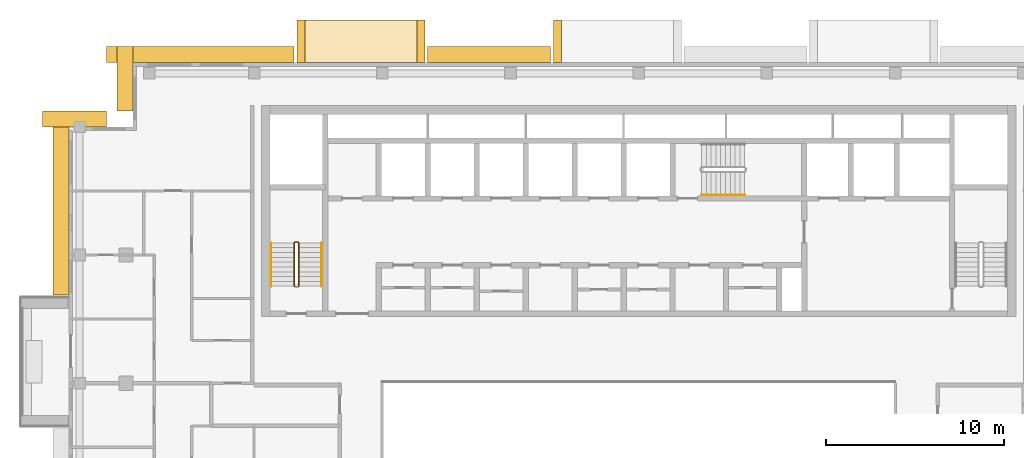
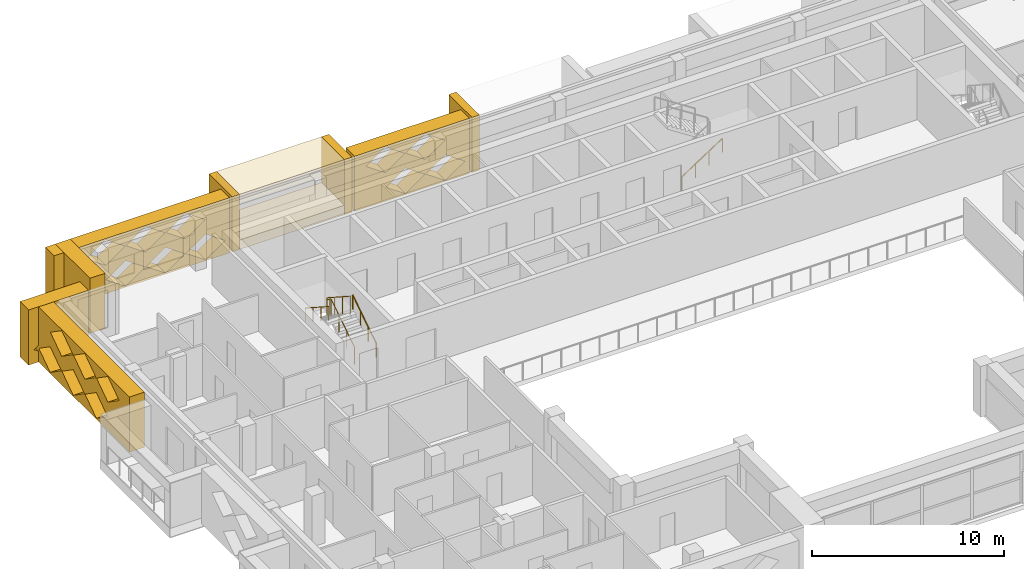
# One storey, part 17 of 19: 10 coverings, 4 railings.
"""IFC4 building model written with IfcOpenShell, lengths in metres."""

from ifc_helpers import new_model, si_unit, direction, frame, origin, origin_2d, place, context, subcontext, project, spatial, polyline, circle, outline, extrude, material, type_object, element, save


model = new_model("IFC4")

# Units and contexts
model_context = context("Model", 3, precision=1e-05, world=origin(), true_north=direction((0.0, 1.0)))
body_context = subcontext(model_context, "Body", "Model", "MODEL_VIEW")
ifc_project = project(units=[si_unit("LENGTHUNIT", "METRE"), si_unit("AREAUNIT", "SQUARE_METRE"), si_unit("VOLUMEUNIT", "CUBIC_METRE"), si_unit("PLANEANGLEUNIT", "RADIAN"), si_unit("MASSUNIT", "GRAM", prefix="KILO")], contexts=[model_context])

# Site, building, storey
site_placement = place(None, origin())
site = spatial("IfcSite", under=ifc_project, at=site_placement, CompositionType="ELEMENT")
building_placement = place(site_placement, origin())
building = spatial("IfcBuilding", under=site, at=building_placement, Name="Saffron Iwan Residences", CompositionType="ELEMENT")
storey_placement = place(building_placement, frame((0.0, 0.0, 250.0)))
storey = spatial("IfcBuildingStorey", under=building, at=storey_placement, Name="L67", CompositionType="ELEMENT", Elevation=250.0)

# Coverings
ifc_material_1 = material(Name="Precast concrete C40/50", Category="concrete")
covering_type_1 = type_object("IfcCoveringType", Name="OUTER SKIN LATTICE SCREEN", PredefinedType="CLADDING", material=ifc_material_1)
covering_1_placement = place(storey_placement, frame((45.449951171875, 80.39990234375, -0.280029296875), z_axis=(0.0, 1.0, 0.0), x_axis=(-1.0, 0.0, 0.0)))
element("IfcCovering", 1, at=covering_1_placement, inside=storey, type_object=covering_type_1, Name="OUTER SKIN lattice screen L67 F5.2", PredefinedType="CLADDING", context=body_context, shape_type="SweptSolid", body=[
    extrude(outline(polyline([(0.0, 0.0), (6.89990234375, 0.0), (6.89990234375, 3.5), (0.0, 3.5), (0.0, 0.0)]), holes=[polyline([(0.27001953125, 0.875), (1.449951171875, 0.06005859375), (2.6298828125, 0.875), (1.449951171875, 1.68994140625), (0.27001953125, 0.875)]), polyline([(2.669921875, 0.875), (3.85009765625, 0.06005859375), (5.030029296875, 0.875), (3.85009765625, 1.68994140625), (2.669921875, 0.875)]), polyline([(1.469970703125, 2.625), (2.64990234375, 1.81005859375), (3.830078125, 2.625), (2.64990234375, 3.43994140625), (1.469970703125, 2.625)]), polyline([(3.8701171875, 2.625), (5.050048828125, 1.81005859375), (6.22998046875, 2.625), (5.050048828125, 3.43994140625), (3.8701171875, 2.625)])]), origin(), (0.0, 0.0, 1.0), 0.900146484375),
])
covering_2_placement = place(storey_placement, frame((31.050048828125, 80.39990234375, -0.280029296875), z_axis=(0.0, 1.0, 0.0), x_axis=(-1.0, 0.0, 0.0)))
element("IfcCovering", 2, at=covering_2_placement, inside=storey, type_object=covering_type_1, Name="OUTER SKIN lattice screen L67 F5.3", PredefinedType="CLADDING", context=body_context, shape_type="SweptSolid", body=[
    extrude(outline(polyline([(0.0, 0.0), (10.550048828125, 0.0), (10.550048828125, 3.5), (0.0, 3.5), (0.0, 0.0)]), holes=[polyline([(0.27001953125, 0.875), (1.449951171875, 0.06005859375), (2.6298828125, 0.875), (1.449951171875, 1.68994140625), (0.27001953125, 0.875)]), polyline([(2.669921875, 0.875), (3.85009765625, 0.06005859375), (5.030029296875, 0.875), (3.85009765625, 1.68994140625), (2.669921875, 0.875)]), polyline([(5.070068359375, 0.875), (6.25, 0.06005859375), (7.429931640625, 0.875), (6.25, 1.68994140625), (5.070068359375, 0.875)]), polyline([(7.469970703125, 0.875), (8.64990234375, 0.06005859375), (9.830078125, 0.875), (8.64990234375, 1.68994140625), (7.469970703125, 0.875)]), polyline([(1.469970703125, 2.625), (2.64990234375, 1.81005859375), (3.830078125, 2.625), (2.64990234375, 3.43994140625), (1.469970703125, 2.625)]), polyline([(3.8701171875, 2.625), (5.050048828125, 1.81005859375), (6.22998046875, 2.625), (5.050048828125, 3.43994140625), (3.8701171875, 2.625)]), polyline([(6.27001953125, 2.625), (7.449951171875, 1.81005859375), (8.6298828125, 2.625), (7.449951171875, 3.43994140625), (6.27001953125, 2.625)])]), origin(), (0.0, 0.0, 1.0), 0.900146484375),
])
for number, where, z_axis, x_axis, name in (
    (3, (22.0, 81.300048828125, -0.280029296875), (-1.0, 0.0, 0.0), (0.0, -1.0, 0.0), "OUTER SKIN lattice screen L67 F6.0"),
    (4, (20.5, 76.800048828125, -0.280029296875), (0.0, 1.0, 0.0), (-1.0, 0.0, 0.0), "OUTER SKIN lattice screen L67 F7.0"),
):
    element("IfcCovering", number, at=place(storey_placement, frame(where, z_axis=z_axis, x_axis=x_axis)), inside=storey, type_object=covering_type_1, Name=name, PredefinedType="CLADDING", context=body_context, shape_type="SweptSolid", body=[
        extrude(outline(polyline([(0.0, 0.0), (3.60009765625, 0.0), (3.60009765625, 3.5), (0.0, 3.5), (0.0, 0.0)]), holes=[polyline([(0.919921875, 0.875), (2.10009765625, 0.06005859375), (3.280029296875, 0.875), (2.10009765625, 1.68994140625), (0.919921875, 0.875)])]), origin(), (0.0, 0.0, 1.0), 0.89990234375),
    ])
covering_3_placement = place(storey_placement, frame((18.39990234375, 77.699951171875, -0.280029296875), z_axis=(-1.0, 0.0, 0.0), x_axis=(0.0, -1.0, 0.0)))
element("IfcCovering", 5, at=covering_3_placement, inside=storey, type_object=covering_type_1, Name="OUTER SKIN lattice screen L67 F8.0", PredefinedType="CLADDING", context=body_context, shape_type="SweptSolid", body=[
    extrude(outline(polyline([(0.0, 0.0), (10.35009765625, 0.0), (10.35009765625, 3.5), (0.0, 3.5), (0.0, 0.0)]), holes=[polyline([(0.919921875, 0.875), (2.10009765625, 0.06005859375), (3.280029296875, 0.875), (2.10009765625, 1.68994140625), (0.919921875, 0.875)]), polyline([(3.320068359375, 0.875), (4.5, 0.06005859375), (5.679931640625, 0.875), (4.5, 1.68994140625), (3.320068359375, 0.875)]), polyline([(5.719970703125, 0.875), (6.89990234375, 0.06005859375), (8.080078125, 0.875), (6.89990234375, 1.68994140625), (5.719970703125, 0.875)]), polyline([(2.1201171875, 2.625), (3.300048828125, 1.81005859375), (4.47998046875, 2.625), (3.300048828125, 3.43994140625), (2.1201171875, 2.625)]), polyline([(4.52001953125, 2.625), (5.699951171875, 1.81005859375), (6.8798828125, 2.625), (5.699951171875, 3.43994140625), (4.52001953125, 2.625)]), polyline([(6.919921875, 2.625), (8.10009765625, 1.81005859375), (9.280029296875, 2.625), (8.10009765625, 3.43994140625), (6.919921875, 2.625)])]), origin(), (0.0, 0.0, 1.0), 0.89990234375),
])

# Railings
ifc_material_2 = material(Name="Steel S355", Category="steel")
railing_type_1 = type_object("IfcRailingType", Name="Stair guard 1100", PredefinedType="GUARDRAIL", material=ifc_material_2)
railing_1_placement = place(storey_placement, frame((31.300048828125, 67.85009765625, 0.175048828125)))
element("IfcRailing", 6, at=railing_1_placement, inside=storey, type_object=railing_type_1, Name="L67 ST-W stair guard 1", PredefinedType="GUARDRAIL", context=body_context, shape_type="SweptSolid", body=[
    extrude(circle(Radius=0.02392578125, at=origin_2d()), frame((0.0, 0.0, 1.076171875), z_axis=(0.0, 0.839153699163, 0.543894354798), x_axis=(-1.0, 0.0, 0.0)), (0.0, 0.0, 1.0), 2.895751953125),
    extrude(circle(Radius=0.02392578125, at=origin_2d()), frame((0.0, 2.429931640625, 2.65087890625), z_axis=(-0.707106781187, 0.707106781187, 0.0), x_axis=(-0.707106781187, -0.707106781187, 0.0)), (0.0, 0.0, 1.0), 0.07080078125),
    extrude(circle(Radius=0.02392578125, at=origin_2d()), frame((-0.050048828125, 2.47998046875, 2.65087890625), z_axis=(-1.0, 0.0, 0.0), x_axis=(0.0, -1.0, 0.0)), (0.0, 0.0, 1.0), 0.14990234375),
    extrude(circle(Radius=0.02392578125, at=origin_2d()), frame((-0.199951171875, 2.47998046875, 2.65087890625), z_axis=(-0.265065253269, -0.265065253269, 0.927081885822), x_axis=(0.707106781187, -0.707106781187, 0.0)), (0.0, 0.0, 1.0), 0.188720703125),
    extrude(circle(Radius=0.02392578125, at=origin_2d()), frame((-0.25, 2.429931640625, 2.826171875), z_axis=(0.0, -0.839153699163, 0.543894354798), x_axis=(1.0, 0.0, 0.0)), (0.0, 0.0, 1.0), 2.895751953125),
    extrude(circle(Radius=0.02099609375, at=origin_2d()), origin(), (0.0, 0.0, 1.0), 1.052001953125),
    extrude(circle(Radius=0.02099609375, at=origin_2d()), frame((0.0, 0.81005859375, 0.52490234375)), (0.0, 0.0, 1.0), 1.052001953125),
    extrude(circle(Radius=0.02099609375, at=origin_2d()), frame((0.0, 1.619873046875, 1.050048828125)), (0.0, 0.0, 1.0), 1.052001953125),
    extrude(circle(Radius=0.02099609375, at=origin_2d()), frame((0.0, 2.429931640625, 1.574951171875)), (0.0, 0.0, 1.0), 1.052001953125),
    extrude(circle(Radius=0.02099609375, at=origin_2d()), frame((-0.050048828125, 2.47998046875, 1.574951171875)), (0.0, 0.0, 1.0), 1.052001953125),
    extrude(circle(Radius=0.02099609375, at=origin_2d()), frame((-0.199951171875, 2.47998046875, 1.574951171875)), (0.0, 0.0, 1.0), 1.052001953125),
    extrude(circle(Radius=0.02099609375, at=origin_2d()), frame((-0.25, 2.429931640625, 1.75)), (0.0, 0.0, 1.0), 1.052001953125),
    extrude(circle(Radius=0.02099609375, at=origin_2d()), frame((-0.25, 1.619873046875, 2.27490234375)), (0.0, 0.0, 1.0), 1.052001953125),
    extrude(circle(Radius=0.02099609375, at=origin_2d()), frame((-0.25, 0.81005859375, 2.800048828125)), (0.0, 0.0, 1.0), 1.052001953125),
    extrude(circle(Radius=0.02099609375, at=origin_2d()), frame((-0.25, 0.0, 3.324951171875)), (0.0, 0.0, 1.0), 1.052001953125),
])
ifc_material_3 = material(Name="Stainless steel 316", Category="steel")
railing_type_2 = type_object("IfcRailingType", Name="Stair handrail 900", PredefinedType="HANDRAIL", material=ifc_material_3)
railing_2_placement = place(storey_placement, frame((32.60009765625, 67.85009765625, 0.175048828125)))
element("IfcRailing", 7, at=railing_2_placement, inside=storey, type_object=railing_type_2, Name="L67 ST-W stair handrail 1", PredefinedType="HANDRAIL", context=body_context, shape_type="SweptSolid", body=[
    extrude(circle(Radius=0.02392578125, at=origin_2d()), frame((0.0, 0.0, 0.8759765625), z_axis=(0.0, 0.839153699163, 0.543894354798), x_axis=(-1.0, 0.0, 0.0)), (0.0, 0.0, 1.0), 2.895751953125),
    extrude(circle(Radius=0.02099609375, at=origin_2d()), origin(), (0.0, 0.0, 1.0), 0.851806640625),
    extrude(circle(Radius=0.02099609375, at=origin_2d()), frame((0.0, 0.81005859375, 0.52490234375)), (0.0, 0.0, 1.0), 0.851806640625),
    extrude(circle(Radius=0.02099609375, at=origin_2d()), frame((0.0, 1.619873046875, 1.050048828125)), (0.0, 0.0, 1.0), 0.851806640625),
    extrude(circle(Radius=0.02099609375, at=origin_2d()), frame((0.0, 2.429931640625, 1.574951171875)), (0.0, 0.0, 1.0), 0.851806640625),
])
railing_3_placement = place(storey_placement, frame((29.75, 70.280029296875, 1.925048828125)))
element("IfcRailing", 8, at=railing_3_placement, inside=storey, type_object=railing_type_2, Name="L67 ST-W stair handrail 2", PredefinedType="HANDRAIL", context=body_context, shape_type="SweptSolid", body=[
    extrude(circle(Radius=0.02392578125, at=origin_2d()), frame((0.0, 0.0, 0.8759765625), z_axis=(0.0, -0.839153699163, 0.543894354798), x_axis=(1.0, 0.0, 0.0)), (0.0, 0.0, 1.0), 2.895751953125),
    extrude(circle(Radius=0.02099609375, at=origin_2d()), origin(), (0.0, 0.0, 1.0), 0.851806640625),
    extrude(circle(Radius=0.02099609375, at=origin_2d()), frame((0.0, -0.81005859375, 0.52490234375)), (0.0, 0.0, 1.0), 0.851806640625),
    extrude(circle(Radius=0.02099609375, at=origin_2d()), frame((0.0, -1.619873046875, 1.050048828125)), (0.0, 0.0, 1.0), 0.851806640625),
    extrude(circle(Radius=0.02099609375, at=origin_2d()), frame((0.0, -2.429931640625, 1.574951171875)), (0.0, 0.0, 1.0), 0.851806640625),
])
railing_4_placement = place(storey_placement, frame((53.925048828125, 72.97509765625, 0.175048828125)))
element("IfcRailing", 9, at=railing_4_placement, inside=storey, type_object=railing_type_2, Name="L67 ST-C stair handrail 1", PredefinedType="HANDRAIL", context=body_context, shape_type="SweptSolid", body=[
    extrude(circle(Radius=0.02392578125, at=origin_2d()), frame((0.0, 0.0, 0.8759765625), z_axis=(0.839153699163, 0.0, 0.543894354798), x_axis=(0.0, 1.0, 0.0)), (0.0, 0.0, 1.0), 2.895751953125),
    extrude(circle(Radius=0.02099609375, at=origin_2d()), origin(), (0.0, 0.0, 1.0), 0.851806640625),
    extrude(circle(Radius=0.02099609375, at=origin_2d()), frame((0.81005859375, 0.0, 0.52490234375)), (0.0, 0.0, 1.0), 0.851806640625),
    extrude(circle(Radius=0.02099609375, at=origin_2d()), frame((1.619873046875, 0.0, 1.050048828125)), (0.0, 0.0, 1.0), 0.851806640625),
    extrude(circle(Radius=0.02099609375, at=origin_2d()), frame((2.429931640625, 0.0, 1.574951171875)), (0.0, 0.0, 1.0), 0.851806640625),
])

# Coverings
ifc_material_4 = material(Name="Precast concrete C40/50 white painted", Category="concrete")
covering_type_2 = type_object("IfcCoveringType", Name="WHITE SUN FRAME PRECAST", PredefinedType="CLADDING", material=ifc_material_4)
for number, where, z_axis, x_axis, name in (
    (10, (46.050048828125, 80.39990234375, -0.280029296875), (0.0, 1.0, 0.0), (-1.0, 0.0, 0.0), "Sun frame L67 F5 26.0b"),
    (11, (38.39990234375, 80.39990234375, -0.280029296875), (0.0, 1.0, 0.0), (-1.0, 0.0, 0.0), "Sun frame L67 F5 40.4a"),
    (12, (31.64990234375, 80.39990234375, -0.280029296875), (0.0, 1.0, 0.0), (-1.0, 0.0, 0.0), "Sun frame L67 F5 40.4b"),
):
    element("IfcCovering", number, at=place(storey_placement, frame(where, z_axis=z_axis, x_axis=x_axis)), inside=storey, type_object=covering_type_2, Name=name, PredefinedType="CLADDING", context=body_context, shape_type="SweptSolid", body=[
        extrude(outline(polyline([(0.0, 0.0), (0.449951171875, 0.0), (0.449951171875, 3.5), (0.0, 3.5), (0.0, 0.0)])), origin(), (0.0, 0.0, 1.0), 2.400146484375),
    ])
for number, where, z_axis, x_axis, name in (
    (13, (37.949951171875, 80.39990234375, 2.6201171875), (0.0, 1.0, 0.0), (-1.0, 0.0, 0.0), "Sun frame L67 F5 40.4h"),
    (14, (37.949951171875, 80.39990234375, -0.280029296875), (0.0, 1.0, 0.0), (-1.0, 0.0, 0.0), "Sun frame L67 F5 40.4s"),
):
    element("IfcCovering", number, at=place(storey_placement, frame(where, z_axis=z_axis, x_axis=x_axis)), inside=storey, type_object=covering_type_2, Name=name, PredefinedType="CLADDING", context=body_context, shape_type="SweptSolid", body=[
        extrude(outline(polyline([(0.0, 0.0), (6.300048828125, 0.0), (6.300048828125, 0.60009765625), (0.0, 0.60009765625), (0.0, 0.0)])), origin(), (0.0, 0.0, 1.0), 2.400146484375),
    ])

save(model, "model.ifc")
